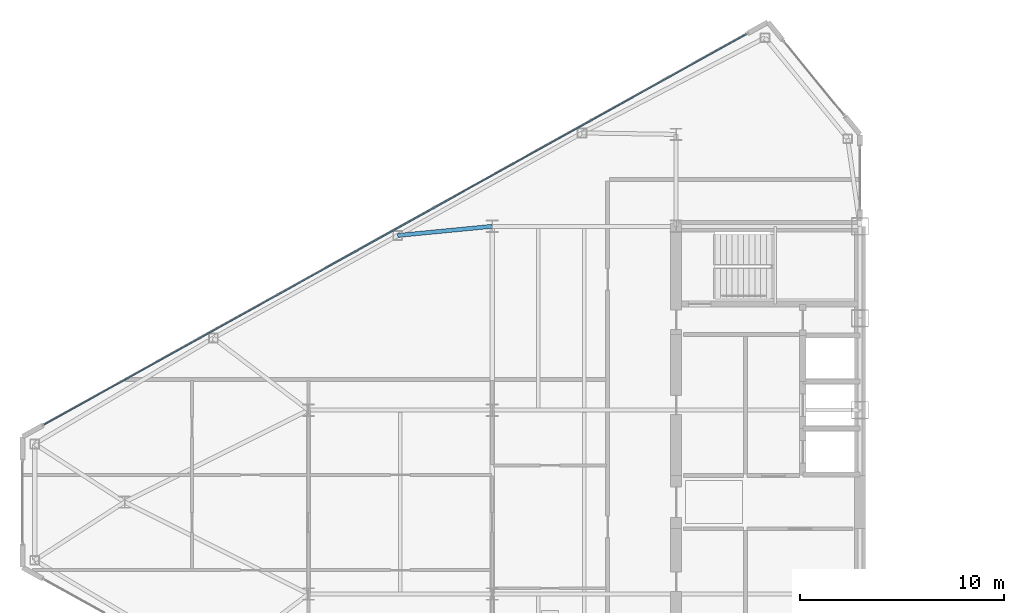
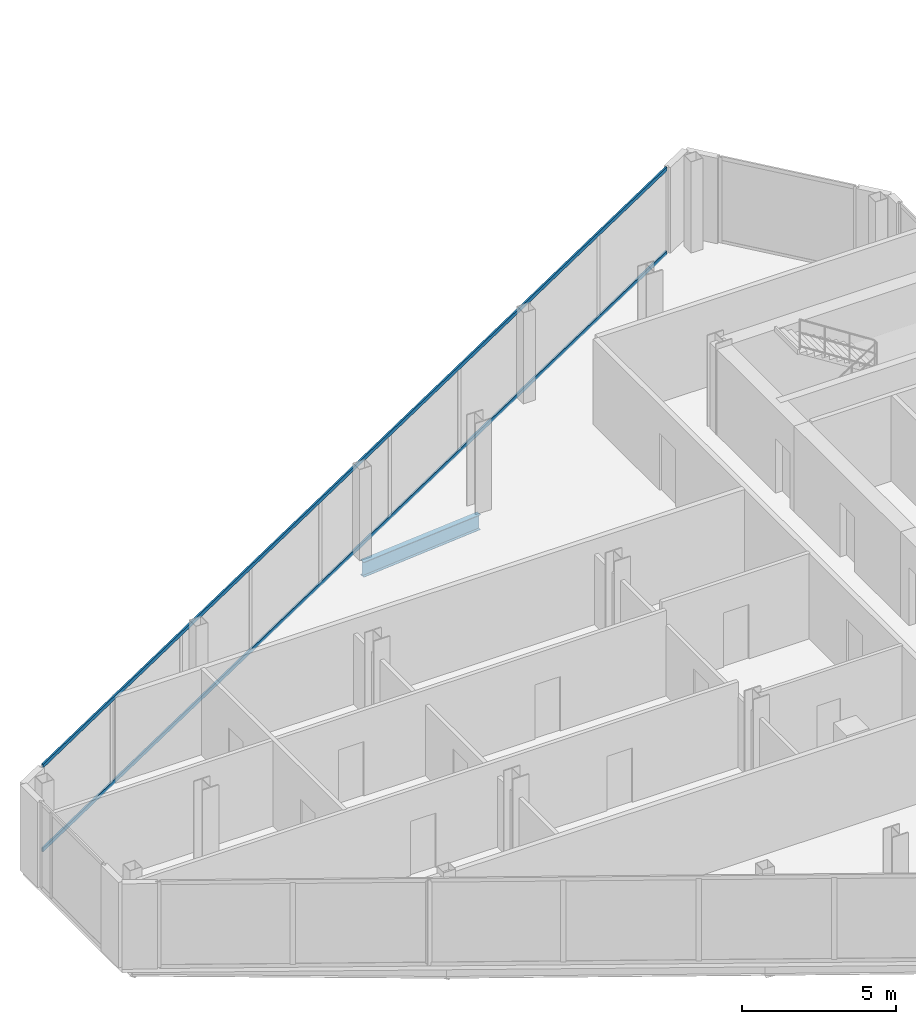
# One storey, part 9 of 26: 2 members, 1 beam, 1 element without a shape of its own.
"""IFC4 building model written with IfcOpenShell, lengths in metres."""

from ifc_helpers import new_model, si_unit, direction, frame, origin, origin_2d, place, context, subcontext, project, spatial, rectangle, i_section, extrude, source, transform, mapped, material, layer, layer_set, material_profile, profile_set, type_object, type_shapes, element, aggregate, save


model = new_model("IFC4")

# Units and contexts
model_context = context("Model", 3, precision=1e-05, world=origin(), true_north=direction((0.0, 1.0)))
body_context = subcontext(model_context, "Body", "Model", "MODEL_VIEW")
ifc_project = project(units=[si_unit("LENGTHUNIT", "METRE"), si_unit("AREAUNIT", "SQUARE_METRE"), si_unit("VOLUMEUNIT", "CUBIC_METRE"), si_unit("PLANEANGLEUNIT", "RADIAN"), si_unit("MASSUNIT", "GRAM", prefix="KILO")], contexts=[model_context])

# Site, building, storey
site_placement = place(None, origin())
site = spatial("IfcSite", under=ifc_project, at=site_placement, CompositionType="ELEMENT")
building_placement = place(site_placement, origin())
building = spatial("IfcBuilding", under=site, at=building_placement, Name="Seokmaru Belvedere", CompositionType="ELEMENT")
storey_placement = place(building_placement, frame((0.0, 0.0, 174.300048828125)))
storey = spatial("IfcBuildingStorey", under=building, at=storey_placement, Name="L46", CompositionType="ELEMENT", Elevation=174.300048828125)

# Beam
ifc_material_1 = material(Name="Steel SM355 (355 MPa)", Category="steel")
ifc_material_profile_1 = material_profile(ifc_material_1, i_section(OverallWidth=0.199951171875, OverallDepth=0.60009765625, WebThickness=0.010986328125, FlangeThickness=0.01708984375, at=origin_2d()), Name="H-600x200x11x17")
ifc_profile_set_1 = profile_set([ifc_material_profile_1], Name="Steel SM355 (355 MPa)")
beam_type = type_object("IfcBeamType", Name="Primary Floor Girder H-600", PredefinedType="BEAM", material=ifc_profile_set_1)
shared_shape_1 = source(origin(), body_context, "Body", "SweptSolid", [
    extrude(i_section(OverallWidth=0.199951171875, OverallDepth=0.60009765625, WebThickness=0.010986328125, FlangeThickness=0.01708984375, at=origin_2d()), origin(), (0.0, 0.0, 1.0), 4.65087890625),
])
type_shapes(beam_type, [shared_shape_1])
beam_placement = place(storey_placement, frame((-50.129150390625, 13.051025390625, -0.52001953125), z_axis=(0.995329534874, 0.09653557379, 0.0), x_axis=(-0.09653557379, 0.995329534874, 0.0)))
element("IfcBeam", 1, at=beam_placement, inside=storey, type_object=beam_type, Name="L46 W Flank Radial Floor Girder N-2", PredefinedType="BEAM", context=body_context, shape_type="MappedRepresentation", body=[
    mapped(shared_shape_1, transform((0.0, 0.0, 0.0), scale=1.0)),
])

# Curtain wall, members
ifc_material_2 = material(Name="Bronze Triple Insulating Glass", Category="glass")
ifc_layer = layer(ifc_material_2, 0.179931640625)
ifc_layer_set = layer_set([ifc_layer], Name="Bronze Triple Insulating Glass")
curtain_wall_type = type_object("IfcCurtainWallType", Name="High-Rise Wind-Corner Curtain Wall System CW-5", PredefinedType="NOTDEFINED", material=ifc_layer_set)
curtain_wall_placement = place(storey_placement, origin())
curtain_wall = element("IfcCurtainWall", 2, at=curtain_wall_placement, inside=storey, type_object=curtain_wall_type, Name="L46 Curtain Wall WF3", PredefinedType="NOTDEFINED")
ifc_material_3 = material(Name="Anodised Bronze Aluminium", Category="aluminium")
ifc_material_profile_2 = material_profile(ifc_material_3, rectangle(XDim=0.06494140625, YDim=0.14990234375, at=origin_2d()), Name="CW-T-65x150")
ifc_profile_set_2 = profile_set([ifc_material_profile_2], Name="Anodised Bronze Aluminium")
member_type = type_object("IfcMemberType", Name="Bronze Unitised Transom 65x150", PredefinedType="USERDEFINED", material=ifc_profile_set_2)
shared_shape_2 = source(origin(), body_context, "Body", "SweptSolid", [
    extrude(rectangle(XDim=0.06494140625, YDim=0.14990234375, at=origin_2d()), origin(), (0.0, 0.0, 1.0), 39.33544921875),
])
type_shapes(member_type, [shared_shape_2])
member_1_placement = place(storey_placement, frame((-33.061767578125, 22.909423828125, 0.032470703125), z_axis=(-0.873932045133, -0.486048125693, 0.0), x_axis=(0.486048125693, -0.873932045133, 0.0)))
member_1 = element("IfcMember", 3, at=member_1_placement, type_object=member_type, Name="CW:L46:WF3 Continuous Transom 1", ObjectType="TRANSOM", PredefinedType="USERDEFINED", context=body_context, shape_type="MappedRepresentation", body=[
    mapped(shared_shape_2, transform((0.0, 0.0, 0.0), scale=1.0)),
])
member_2_placement = place(storey_placement, frame((-33.061767578125, 22.909423828125, 3.347412109375), z_axis=(-0.873932045133, -0.486048125693, 0.0), x_axis=(0.486048125693, -0.873932045133, 0.0)))
member_2 = element("IfcMember", 4, at=member_2_placement, type_object=member_type, Name="CW:L46:WF3 Continuous Transom 2", ObjectType="TRANSOM", PredefinedType="USERDEFINED", context=body_context, shape_type="MappedRepresentation", body=[
    mapped(shared_shape_2, transform((0.0, 0.0, 0.0), scale=1.0)),
])
aggregate(curtain_wall, [member_1, member_2])

save(model, "model.ifc")
